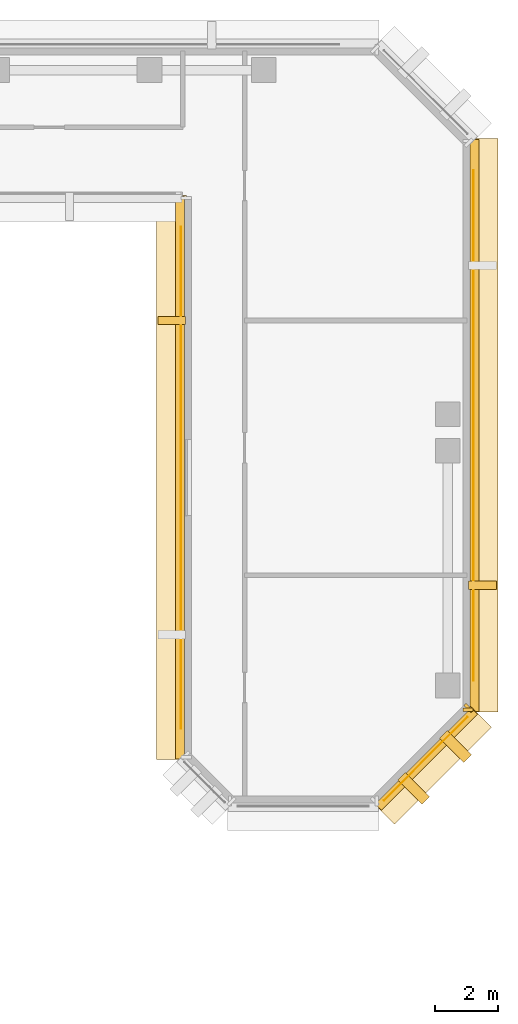
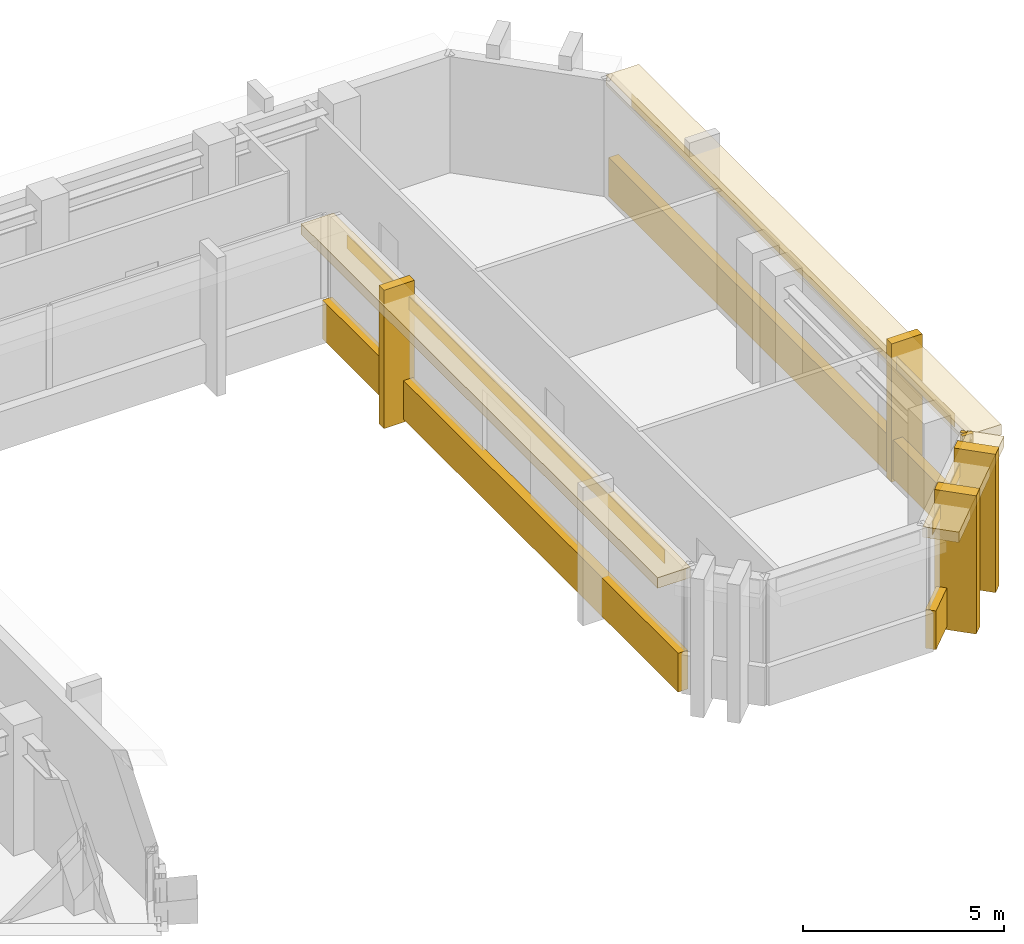
# One storey, part 9 of 11: 15 coverings.
"""IFC4 building model written with IfcOpenShell, lengths in metres."""

from ifc_helpers import new_model, si_unit, direction, frame, origin, origin_2d, place, context, subcontext, project, spatial, rectangle, extrude, material, layer, layer_set, type_object, element, save


model = new_model("IFC4")

# Units and contexts
model_context = context("Model", 3, precision=1e-05, world=origin(), true_north=direction((0.0, 1.0)))
body_context = subcontext(model_context, "Body", "Model", "MODEL_VIEW")
ifc_project = project(units=[si_unit("LENGTHUNIT", "METRE"), si_unit("AREAUNIT", "SQUARE_METRE"), si_unit("VOLUMEUNIT", "CUBIC_METRE"), si_unit("PLANEANGLEUNIT", "RADIAN"), si_unit("MASSUNIT", "GRAM", prefix="KILO")], contexts=[model_context])

# Site, building, storey
site_placement = place(None, origin())
site = spatial("IfcSite", under=ifc_project, at=site_placement, CompositionType="ELEMENT")
building_placement = place(site_placement, origin())
building = spatial("IfcBuilding", under=site, at=building_placement, Name="Kefirva Bronze Tower", CompositionType="ELEMENT")
storey_placement = place(building_placement, frame((0.0, 0.0, 247.5)))
storey = spatial("IfcBuildingStorey", under=building, at=storey_placement, Name="L60", CompositionType="ELEMENT", Elevation=247.5)

# Coverings
ifc_material = material(Name="Bronze anodised aluminium", Category="aluminium")
ifc_layer_1 = layer(ifc_material, 0.02001953125, Name="Bronze anodised aluminium")
ifc_layer_set_1 = layer_set([ifc_layer_1], Name="Bronze anodised aluminium")
covering_type_1 = type_object("IfcCoveringType", Name="Anodised Bronze Spandrel Cladding 20mm", PredefinedType="CLADDING", material=ifc_layer_set_1)
covering_1_placement = place(storey_placement, frame((40.989990234375, 32.35009765625, 3.1201171875), z_axis=(0.0, 0.0, 1.0), x_axis=(0.0, -1.0, 0.0)))
element("IfcCovering", 1, at=covering_1_placement, inside=storey, type_object=covering_type_1, Name="L60 Bronze Spandrel Cladding 5", PredefinedType="CLADDING", context=body_context, shape_type="SweptSolid", body=[
    extrude(rectangle(XDim=15.8310546875, YDim=0.02001953125, at=origin_2d()), origin(), (0.0, 0.0, 1.0), 0.39990234375),
])
covering_2_placement = place(storey_placement, frame((40.9599609375, 32.35009765625, -0.16015625), z_axis=(0.0, 0.0, 1.0), x_axis=(0.0, -1.0, 0.0)))
element("IfcCovering", 2, at=covering_2_placement, inside=storey, type_object=covering_type_1, Name="L60 Streamline Horizontal Spandrel Band 7", PredefinedType="CLADDING", context=body_context, shape_type="SweptSolid", body=[
    extrude(rectangle(XDim=17.739990234375, YDim=0.280029296875, at=origin_2d()), origin(), (0.0, 0.0, 1.0), 1.179931640625),
])
covering_3_placement = place(storey_placement, frame((48.70703125, 23.492919921875, 3.1201171875), z_axis=(0.0, 0.0, 1.0), x_axis=(0.707106781187, 0.707106781187, 0.0)))
element("IfcCovering", 3, at=covering_3_placement, inside=storey, type_object=covering_type_1, Name="L60 Bronze Spandrel Cladding 8", PredefinedType="CLADDING", context=body_context, shape_type="SweptSolid", body=[
    extrude(rectangle(XDim=3.719482421875, YDim=0.02001953125, at=origin_2d()), origin(), (0.0, 0.0, 1.0), 0.39990234375),
])
covering_4_placement = place(storey_placement, frame((50.06201171875, 25.08837890625, 0.0), z_axis=(0.0, 0.0, 1.0), x_axis=(0.707106781187, 0.707106781187, 0.0)))
element("IfcCovering", 4, at=covering_4_placement, inside=storey, type_object=covering_type_1, Name="L60 Facade Joint Closure Panel 8E", PredefinedType="CLADDING", context=body_context, shape_type="SweptSolid", body=[
    extrude(rectangle(XDim=0.10009765625, YDim=0.320068359375, at=origin_2d()), origin(), (0.0, 0.0, 1.0), 3.5400390625),
])
covering_5_placement = place(storey_placement, frame((48.728271484375, 23.4716796875, -0.16015625), z_axis=(0.0, 0.0, 1.0), x_axis=(0.707106781187, 0.707106781187, 0.0)))
element("IfcCovering", 5, at=covering_5_placement, inside=storey, type_object=covering_type_1, Name="L60 Streamline Horizontal Spandrel Band 10", PredefinedType="CLADDING", context=body_context, shape_type="SweptSolid", body=[
    extrude(rectangle(XDim=4.28271484375, YDim=0.280029296875, at=origin_2d()), origin(), (0.0, 0.0, 1.0), 1.179931640625),
])
covering_6_placement = place(storey_placement, frame((50.2099609375, 34.0, 3.1201171875), z_axis=(0.0, 0.0, 1.0), x_axis=(0.0, 1.0, 0.0)))
element("IfcCovering", 6, at=covering_6_placement, inside=storey, type_object=covering_type_1, Name="L60 Bronze Spandrel Cladding 9", PredefinedType="CLADDING", context=body_context, shape_type="SweptSolid", body=[
    extrude(rectangle(XDim=16.10107421875, YDim=0.02001953125, at=origin_2d()), origin(), (0.0, 0.0, 1.0), 0.39990234375),
])
covering_7_placement = place(storey_placement, frame((50.0400390625, 25.034912109375, 0.0), z_axis=(0.0, 0.0, 1.0), x_axis=(0.0, 1.0, 0.0)))
element("IfcCovering", 7, at=covering_7_placement, inside=storey, type_object=covering_type_1, Name="L60 Facade Joint Closure Panel 9S", PredefinedType="CLADDING", context=body_context, shape_type="SweptSolid", body=[
    extrude(rectangle(XDim=0.10009765625, YDim=0.320068359375, at=origin_2d()), origin(), (0.0, 0.0, 1.0), 3.5400390625),
])
covering_8_placement = place(storey_placement, frame((50.239990234375, 34.0, -0.16015625), z_axis=(0.0, 0.0, 1.0), x_axis=(0.0, 1.0, 0.0)))
element("IfcCovering", 8, at=covering_8_placement, inside=storey, type_object=covering_type_1, Name="L60 Streamline Horizontal Spandrel Band 11", PredefinedType="CLADDING", context=body_context, shape_type="SweptSolid", body=[
    extrude(rectangle(XDim=18.0400390625, YDim=0.280029296875, at=origin_2d()), origin(), (0.0, 0.0, 1.0), 1.179931640625),
])
ifc_layer_2 = layer(ifc_material, 0.179931640625, Name="Bronze anodised aluminium")
ifc_layer_set_2 = layer_set([ifc_layer_2], Name="Bronze anodised aluminium")
covering_type_2 = type_object("IfcCoveringType", Name="Streamline Bronze Sunshade Eyebrow Cladding 180mm", PredefinedType="CLADDING", material=ifc_layer_set_2)
covering_9_placement = place(storey_placement, frame((40.68994140625, 32.35009765625, 3.2197265625), z_axis=(0.0, 0.0, 1.0), x_axis=(0.0, -1.0, 0.0)))
element("IfcCovering", 9, at=covering_9_placement, inside=storey, type_object=covering_type_2, Name="L60 Streamline Bronze Sunshade Eyebrow 7", PredefinedType="CLADDING", context=body_context, shape_type="SweptSolid", body=[
    extrude(rectangle(XDim=17.780029296875, YDim=0.93994140625, at=origin_2d()), origin(), (0.0, 0.0, 1.0), 0.320068359375),
])
covering_10_placement = place(storey_placement, frame((48.919189453125, 23.28076171875, 3.2197265625), z_axis=(0.0, 0.0, 1.0), x_axis=(0.707106781187, 0.707106781187, 0.0)))
element("IfcCovering", 10, at=covering_10_placement, inside=storey, type_object=covering_type_2, Name="L60 Streamline Bronze Sunshade Eyebrow 10", PredefinedType="CLADDING", context=body_context, shape_type="SweptSolid", body=[
    extrude(rectangle(XDim=4.322509765625, YDim=0.93994140625, at=origin_2d()), origin(), (0.0, 0.0, 1.0), 0.320068359375),
])
covering_11_placement = place(storey_placement, frame((50.510009765625, 34.0, 3.2197265625), z_axis=(0.0, 0.0, 1.0), x_axis=(0.0, 1.0, 0.0)))
element("IfcCovering", 11, at=covering_11_placement, inside=storey, type_object=covering_type_2, Name="L60 Streamline Bronze Sunshade Eyebrow 11", PredefinedType="CLADDING", context=body_context, shape_type="SweptSolid", body=[
    extrude(rectangle(XDim=18.080078125, YDim=0.93994140625, at=origin_2d()), origin(), (0.0, 0.0, 1.0), 0.320068359375),
])
ifc_layer_3 = layer(ifc_material, 0.260009765625, Name="Bronze anodised aluminium")
ifc_layer_set_3 = layer_set([ifc_layer_3], Name="Bronze anodised aluminium")
covering_type_3 = type_object("IfcCoveringType", Name="Unbroken Bronze Buttress Fin Cladding 260mm", PredefinedType="CLADDING", material=ifc_layer_set_3)
covering_12_placement = place(storey_placement, frame((40.699951171875, 37.305908203125, -0.25), z_axis=(0.0, 0.0, 1.0), x_axis=(0.0, -1.0, 0.0)))
element("IfcCovering", 12, at=covering_12_placement, inside=storey, type_object=covering_type_3, Name="L60 Unbroken Vertical Bronze Rib Fin 13", PredefinedType="CLADDING", context=body_context, shape_type="SweptSolid", body=[
    extrude(rectangle(XDim=0.260009765625, YDim=0.8798828125, at=origin_2d()), origin(), (0.0, 0.0, 1.0), 4.2099609375),
])
for number, where, z_axis, x_axis, name in (
    (13, (48.32275390625, 22.55712890625, -0.25), (0.0, 0.0, 1.0), (0.707106781187, 0.707106781187, 0.0), "L60 Chamfered Corner Buttress Fin Cladding 17"),
    (14, (49.642822265625, 23.877197265625, -0.25), (0.0, 0.0, 1.0), (0.707106781187, 0.707106781187, 0.0), "L60 Chamfered Corner Buttress Fin Cladding 18"),
):
    element("IfcCovering", number, at=place(storey_placement, frame(where, z_axis=z_axis, x_axis=x_axis)), inside=storey, type_object=covering_type_3, Name=name, PredefinedType="CLADDING", context=body_context, shape_type="SweptSolid", body=[
        extrude(rectangle(XDim=0.340087890625, YDim=1.080078125, at=origin_2d()), origin(), (0.0, 0.0, 1.0), 4.2099609375),
    ])
covering_13_placement = place(storey_placement, frame((50.5, 28.9599609375, -0.25), z_axis=(0.0, 0.0, 1.0), x_axis=(0.0, 1.0, 0.0)))
element("IfcCovering", 15, at=covering_13_placement, inside=storey, type_object=covering_type_3, Name="L60 Unbroken Vertical Bronze Rib Fin 19", PredefinedType="CLADDING", context=body_context, shape_type="SweptSolid", body=[
    extrude(rectangle(XDim=0.260009765625, YDim=0.8798828125, at=origin_2d()), origin(), (0.0, 0.0, 1.0), 4.2099609375),
])

save(model, "model.ifc")
